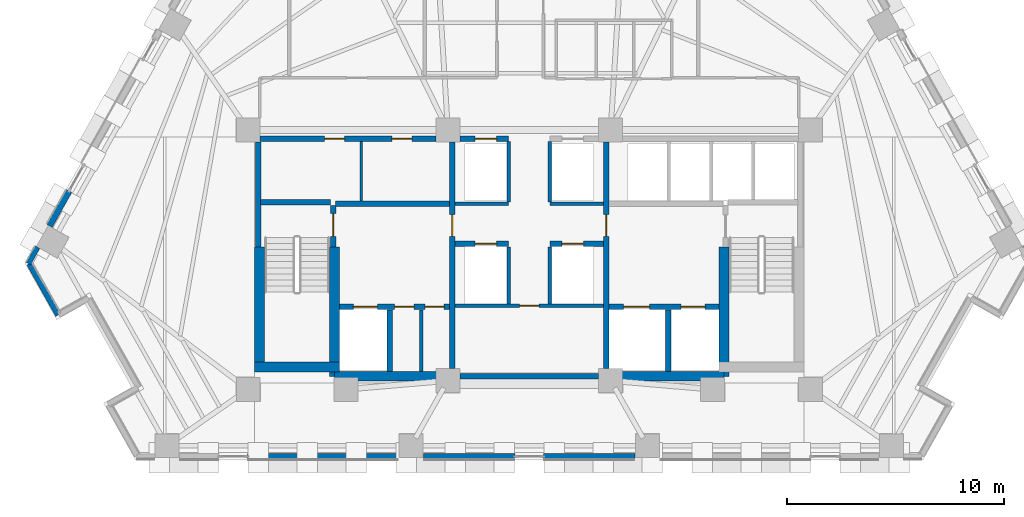
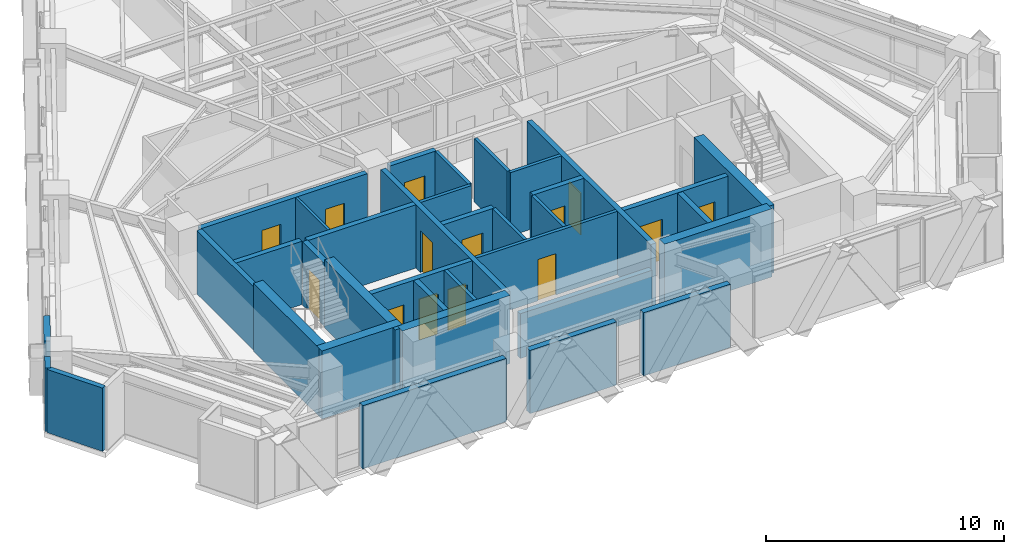
# One storey, part 7 of 13: 36 walls, 14 doors, 14 openings.
"""IFC4 building model written with IfcOpenShell, lengths in metres."""

from ifc_helpers import new_model, si_unit, direction, frame, frame_2d, origin, place, context, subcontext, project, spatial, rectangle, extrude, material, layer, layer_set, type_object, element, fill, save


model = new_model("IFC4")

# Units and contexts
model_context = context("Model", 3, precision=1e-05, world=origin(), true_north=direction((0.0, 1.0)))
body_context = subcontext(model_context, "Body", "Model", "MODEL_VIEW")
ifc_project = project(units=[si_unit("LENGTHUNIT", "METRE"), si_unit("AREAUNIT", "SQUARE_METRE"), si_unit("VOLUMEUNIT", "CUBIC_METRE"), si_unit("PLANEANGLEUNIT", "RADIAN"), si_unit("MASSUNIT", "GRAM", prefix="KILO")], contexts=[model_context])

# Site, building, storey
site_placement = place(None, origin())
site = spatial("IfcSite", under=ifc_project, at=site_placement, CompositionType="ELEMENT")
building_placement = place(site_placement, origin())
building = spatial("IfcBuilding", under=site, at=building_placement, Name="Quenlor Broadcast Tower", CompositionType="ELEMENT")
storey_placement = place(building_placement, frame((0.0, 0.0, 116.0)))
storey = spatial("IfcBuildingStorey", under=building, at=storey_placement, Name="L31", CompositionType="ELEMENT", Elevation=116.0)

# Walls
ifc_material_1 = material(Name="Concrete C50/60", Category="concrete")
ifc_layer_1 = layer(ifc_material_1, 0.449951171875)
ifc_layer_set_1 = layer_set([ifc_layer_1], Name="Core Concrete C50/60 Shear Wall 450")
wall_type_1 = type_object("IfcWallType", Name="Core Concrete C50/60 Shear Wall 450", PredefinedType="SHEAR", material=ifc_layer_set_1)
wall_1_placement = place(storey_placement, frame((-12.64990234375, -15.72509765625, 0.0), z_axis=(0.0, 0.0, 1.0), x_axis=(1.0, 0.0, 0.0)))
element("IfcWall", 1, at=wall_1_placement, inside=storey, type_object=wall_type_1, Name="L31 Core Shear Wall WS-W1", PredefinedType="SHEAR", context=body_context, shape_type="SweptSolid", body=[
    extrude(rectangle(XDim=3.89990234375, YDim=0.449951171875, at=frame_2d((1.949951171875, 0.0))), origin(), (0.0, 0.0, 1.0), 3.5),
])
for number, where, z_axis, x_axis, name in (
    (2, (-8.97509765625, -16.14990234375, 0.0), (0.0, 0.0, 1.0), (1.0, 0.0, 0.0), "L31 Core Shear Wall WS-W2"),
    (3, (3.75, -16.14990234375, 0.0), (0.0, 0.0, 1.0), (1.0, 0.0, 0.0), "L31 Core Shear Wall WS-E1"),
):
    element("IfcWall", number, at=place(storey_placement, frame(where, z_axis=z_axis, x_axis=x_axis)), inside=storey, type_object=wall_type_1, Name=name, PredefinedType="SHEAR", context=body_context, shape_type="SweptSolid", body=[
        extrude(rectangle(XDim=5.22509765625, YDim=0.449951171875, at=frame_2d((2.612548828125, 0.0))), origin(), (0.0, 0.0, 1.0), 3.5),
    ])
wall_2_placement = place(storey_placement, frame((-12.425048828125, -15.72509765625, 0.0), z_axis=(0.0, 0.0, 1.0), x_axis=(0.0, 1.0, 0.0)))
element("IfcWall", 4, at=wall_2_placement, inside=storey, type_object=wall_type_1, Name="L31 Core Shear Wall WF-W", PredefinedType="SHEAR", context=body_context, shape_type="SweptSolid", body=[
    extrude(rectangle(XDim=5.525146484375, YDim=0.449951171875, at=frame_2d((2.7626953125, 0.0))), origin(), (0.0, 0.0, 1.0), 3.5),
])
for number, where, z_axis, x_axis, name in (
    (5, (-8.97509765625, -16.14990234375, 0.0), (0.0, 0.0, 1.0), (0.0, 1.0, 0.0), "L31 Core Shear Wall WI-W"),
    (6, (8.97509765625, -16.14990234375, 0.0), (0.0, 0.0, 1.0), (0.0, 1.0, 0.0), "L31 Core Shear Wall WI-E"),
):
    element("IfcWall", number, at=place(storey_placement, frame(where, z_axis=z_axis, x_axis=x_axis)), inside=storey, type_object=wall_type_1, Name=name, PredefinedType="SHEAR", context=body_context, shape_type="SweptSolid", body=[
        extrude(rectangle(XDim=5.949951171875, YDim=0.449951171875, at=frame_2d((2.97509765625, 0.0))), origin(), (0.0, 0.0, 1.0), 3.5),
    ])

# Wall, opening, door
ifc_material_2 = material(Name="Concrete C40/50", Category="concrete")
ifc_layer_2 = layer(ifc_material_2, 0.25)
ifc_layer_set_2 = layer_set([ifc_layer_2], Name="Fire Rated Concrete C40/50 Core Wall 250")
wall_type_2 = type_object("IfcWallType", Name="Fire Rated Concrete C40/50 Core Wall 250", PredefinedType="PARTITIONING", material=ifc_layer_set_2)
wall_3_placement = place(storey_placement, frame((-9.0400390625, -10.179931640625, 0.0), z_axis=(0.0, 0.0, 1.0), x_axis=(0.0, 1.0, 0.0)))
wall_3 = element("IfcWall", 7, at=wall_3_placement, inside=storey, type_object=wall_type_2, Name="L31 Interior Wall CW-ST1-DR", PredefinedType="PARTITIONING", context=body_context, shape_type="SweptSolid", body=[
    extrude(rectangle(XDim=1.89990234375, YDim=0.25, at=frame_2d((0.949951171875, 0.0))), origin(), (0.0, 0.0, 1.0), 3.25),
])
opening_1_placement = place(wall_3_placement, frame((0.47998046875, 0.0, 0.0)))
opening_1 = element("IfcOpeningElement", 8, at=opening_1_placement, cuts=wall_3, Name="Opening FD-1", PredefinedType="OPENING", context=body_context, shape_type="SweptSolid", body=[
    extrude(rectangle(XDim=1.050048828125, YDim=2.14990234375, at=frame_2d((0.52490234375, 1.074951171875))), frame((0.0, 0.135009765625, 0.0), z_axis=(0.0, -1.0, 0.0), x_axis=(1.0, 0.0, 0.0)), (0.0, 0.0, 1.0), 0.27001953125),
])
ifc_material_3 = material(Name="Fire Rated Steel Door Leaf", Category="steel")
door_type_1 = type_object("IfcDoorType", Name="Fire Isolated Stair Door 1050x2150", OperationType="NOTDEFINED", PredefinedType="DOOR", material=ifc_material_3)
door_1_placement = place(opening_1_placement, origin())
door_1 = element("IfcDoor", 9, at=door_1_placement, inside=storey, type_object=door_type_1, Name="L31 Door DR-ST1", OperationType="SINGLE_SWING_LEFT", OverallHeight=2.14990234375, OverallWidth=1.050048828125, PredefinedType="DOOR", context=body_context, shape_type="SweptSolid", body=[
    extrude(rectangle(XDim=1.050048828125, YDim=2.14990234375, at=frame_2d((0.52490234375, 1.074951171875))), frame((0.0, 0.02490234375, 0.0), z_axis=(0.0, -1.0, 0.0), x_axis=(1.0, 0.0, 0.0)), (0.0, 0.0, 1.0), 0.050048828125),
])
fill(opening_1, door_1)

# Walls
wall_4_placement = place(storey_placement, frame((-12.3798828125, -8.1201171875, 0.0), z_axis=(0.0, 0.0, 1.0), x_axis=(1.0, 0.0, 0.0)))
element("IfcWall", 10, at=wall_4_placement, inside=storey, type_object=wall_type_2, Name="L31 Interior Wall CW-ST1-N", PredefinedType="PARTITIONING", context=body_context, shape_type="SweptSolid", body=[
    extrude(rectangle(XDim=3.219970703125, YDim=0.25, at=frame_2d((1.60986328125, 0.0))), origin(), (0.0, 0.0, 1.0), 3.25),
])
wall_5_placement = place(storey_placement, frame((-12.47998046875, -10.179931640625, 0.0), z_axis=(0.0, 0.0, 1.0), x_axis=(0.0, 1.0, 0.0)))
element("IfcWall", 11, at=wall_5_placement, inside=storey, type_object=wall_type_2, Name="L31 Interior Wall CW-ST1-W2", PredefinedType="PARTITIONING", context=body_context, shape_type="SweptSolid", body=[
    extrude(rectangle(XDim=4.827880859375, YDim=0.25, at=frame_2d((2.4140625, 0.0))), origin(), (0.0, 0.0, 1.0), 3.25),
])

# Wall, openings, doors
wall_6_placement = place(storey_placement, frame((-8.748046875, -12.949951171875, 0.0), z_axis=(0.0, 0.0, 1.0), x_axis=(1.0, 0.0, 0.0)))
wall_6 = element("IfcWall", 12, at=wall_6_placement, inside=storey, type_object=wall_type_2, Name="L31 Interior Wall CW-FFW-S", PredefinedType="PARTITIONING", context=body_context, shape_type="SweptSolid", body=[
    extrude(rectangle(XDim=5.068115234375, YDim=0.25, at=frame_2d((2.5341796875, 0.0))), origin(), (0.0, 0.0, 1.0), 3.25),
])
opening_2_placement = place(wall_6_placement, frame((0.64794921875, 0.0, 0.0)))
opening_2 = element("IfcOpeningElement", 13, at=opening_2_placement, cuts=wall_6, Name="Opening LD-FFL-1", PredefinedType="OPENING", context=body_context, shape_type="SweptSolid", body=[
    extrude(rectangle(XDim=1.10009765625, YDim=2.14990234375, at=frame_2d((0.550048828125, 1.074951171875))), frame((0.0, 0.135009765625, 0.0), z_axis=(0.0, -1.0, 0.0), x_axis=(1.0, 0.0, 0.0)), (0.0, 0.0, 1.0), 0.27001953125),
])
opening_3_placement = place(wall_6_placement, frame((2.548095703125, 0.0, 0.0)))
opening_3 = element("IfcOpeningElement", 14, at=opening_3_placement, cuts=wall_6, Name="Opening TD-1", PredefinedType="OPENING", context=body_context, shape_type="SweptSolid", body=[
    extrude(rectangle(XDim=0.8798828125, YDim=2.10009765625, at=frame_2d((0.43994140625, 1.050048828125))), frame((0.0, 0.135009765625, 0.0), z_axis=(0.0, -1.0, 0.0), x_axis=(1.0, 0.0, 0.0)), (0.0, 0.0, 1.0), 0.27001953125),
])
opening_4_placement = place(wall_6_placement, frame((3.947998046875, 0.0, 0.0)))
opening_4 = element("IfcOpeningElement", 15, at=opening_4_placement, cuts=wall_6, Name="Opening TD-1", PredefinedType="OPENING", context=body_context, shape_type="SweptSolid", body=[
    extrude(rectangle(XDim=0.8798828125, YDim=2.10009765625, at=frame_2d((0.43994140625, 1.050048828125))), frame((0.0, 0.135009765625, 0.0), z_axis=(0.0, -1.0, 0.0), x_axis=(1.0, 0.0, 0.0)), (0.0, 0.0, 1.0), 0.27001953125),
])
ifc_material_4 = material(Name="Brushed Stainless Steel", Category="steel")
door_type_2 = type_object("IfcDoorType", Name="Emergency Lift Sliding Landing Door 1100x2150", OperationType="NOTDEFINED", PredefinedType="DOOR", material=ifc_material_4)
door_2_placement = place(opening_2_placement, origin())
door_2 = element("IfcDoor", 16, at=door_2_placement, inside=storey, type_object=door_type_2, Name="L31 Door LD-FFL-1", OperationType="SLIDING_TO_LEFT", OverallHeight=2.14990234375, OverallWidth=1.10009765625, PredefinedType="DOOR", context=body_context, shape_type="SweptSolid", body=[
    extrude(rectangle(XDim=1.10009765625, YDim=2.14990234375, at=frame_2d((0.550048828125, 1.074951171875))), frame((0.0, 0.02490234375, 0.0), z_axis=(0.0, -1.0, 0.0), x_axis=(1.0, 0.0, 0.0)), (0.0, 0.0, 1.0), 0.050048828125),
])
fill(opening_2, door_2)
ifc_material_5 = material(Name="Fire Rated Steel Access Panel", Category="steel")
door_type_3 = type_object("IfcDoorType", Name="Riser Shaft Rated Access Trapdoor 880x2100", OperationType="NOTDEFINED", PredefinedType="TRAPDOOR", material=ifc_material_5)
door_3_placement = place(opening_3_placement, origin())
door_3 = element("IfcDoor", 17, at=door_3_placement, inside=storey, type_object=door_type_3, Name="L31 Door DR-ELR", OperationType="SINGLE_SWING_LEFT", OverallHeight=2.10009765625, OverallWidth=0.8798828125, PredefinedType="TRAPDOOR", context=body_context, shape_type="SweptSolid", body=[
    extrude(rectangle(XDim=0.8798828125, YDim=2.10009765625, at=frame_2d((0.43994140625, 1.050048828125))), frame((0.0, 0.02490234375, 0.0), z_axis=(0.0, -1.0, 0.0), x_axis=(1.0, 0.0, 0.0)), (0.0, 0.0, 1.0), 0.050048828125),
])
fill(opening_3, door_3)
door_4_placement = place(opening_4_placement, origin())
door_4 = element("IfcDoor", 18, at=door_4_placement, inside=storey, type_object=door_type_3, Name="L31 Door DR-CMR", OperationType="SINGLE_SWING_RIGHT", OverallHeight=2.10009765625, OverallWidth=0.8798828125, PredefinedType="TRAPDOOR", context=body_context, shape_type="SweptSolid", body=[
    extrude(rectangle(XDim=0.8798828125, YDim=2.10009765625, at=frame_2d((0.43994140625, 1.050048828125))), frame((0.0, 0.02490234375, 0.0), z_axis=(0.0, -1.0, 0.0), x_axis=(1.0, 0.0, 0.0)), (0.0, 0.0, 1.0), 0.050048828125),
])
fill(opening_4, door_4)

wall_7_placement = place(storey_placement, frame((3.679931640625, -12.949951171875, 0.0), z_axis=(0.0, 0.0, 1.0), x_axis=(1.0, 0.0, 0.0)))
wall_7 = element("IfcWall", 19, at=wall_7_placement, inside=storey, type_object=wall_type_2, Name="L31 Interior Wall CW-FFE-S", PredefinedType="PARTITIONING", context=body_context, shape_type="SweptSolid", body=[
    extrude(rectangle(XDim=5.068115234375, YDim=0.25, at=frame_2d((2.5341796875, 0.0))), origin(), (0.0, 0.0, 1.0), 3.25),
])
opening_5_placement = place(wall_7_placement, frame((3.320068359375, 0.0, 0.0)))
opening_5 = element("IfcOpeningElement", 20, at=opening_5_placement, cuts=wall_7, Name="Opening LD-FFL-2", PredefinedType="OPENING", context=body_context, shape_type="SweptSolid", body=[
    extrude(rectangle(XDim=1.10009765625, YDim=2.14990234375, at=frame_2d((0.550048828125, 1.074951171875))), frame((0.0, 0.135009765625, 0.0), z_axis=(0.0, -1.0, 0.0), x_axis=(1.0, 0.0, 0.0)), (0.0, 0.0, 1.0), 0.27001953125),
])
opening_6_placement = place(wall_7_placement, frame((0.669921875, 0.0, 0.0)))
opening_6 = element("IfcOpeningElement", 21, at=opening_6_placement, cuts=wall_7, Name="Opening LD-SVL-1", PredefinedType="OPENING", context=body_context, shape_type="SweptSolid", body=[
    extrude(rectangle(XDim=1.199951171875, YDim=2.14990234375, at=frame_2d((0.60009765625, 1.074951171875))), frame((0.0, 0.135009765625, 0.0), z_axis=(0.0, -1.0, 0.0), x_axis=(1.0, 0.0, 0.0)), (0.0, 0.0, 1.0), 0.27001953125),
])
door_5_placement = place(opening_5_placement, origin())
door_5 = element("IfcDoor", 22, at=door_5_placement, inside=storey, type_object=door_type_2, Name="L31 Door LD-FFL-2", OperationType="SLIDING_TO_RIGHT", OverallHeight=2.14990234375, OverallWidth=1.10009765625, PredefinedType="DOOR", context=body_context, shape_type="SweptSolid", body=[
    extrude(rectangle(XDim=1.10009765625, YDim=2.14990234375, at=frame_2d((0.550048828125, 1.074951171875))), frame((0.0, 0.02490234375, 0.0), z_axis=(0.0, -1.0, 0.0), x_axis=(1.0, 0.0, 0.0)), (0.0, 0.0, 1.0), 0.050048828125),
])
fill(opening_5, door_5)
ifc_material_6 = material(Name="Brushed Stainless Steel", Category="steel")
door_type_4 = type_object("IfcDoorType", Name="Goods Lift Sliding Landing Door 1200x2150", OperationType="NOTDEFINED", PredefinedType="DOOR", material=ifc_material_6)
door_6_placement = place(opening_6_placement, origin())
door_6 = element("IfcDoor", 23, at=door_6_placement, inside=storey, type_object=door_type_4, Name="L31 Door LD-SVL-1", OperationType="SLIDING_TO_LEFT", OverallHeight=2.14990234375, OverallWidth=1.199951171875, PredefinedType="DOOR", context=body_context, shape_type="SweptSolid", body=[
    extrude(rectangle(XDim=1.199951171875, YDim=2.14990234375, at=frame_2d((0.60009765625, 1.074951171875))), frame((0.0, 0.02490234375, 0.0), z_axis=(0.0, -1.0, 0.0), x_axis=(1.0, 0.0, 0.0)), (0.0, 0.0, 1.0), 0.050048828125),
])
fill(opening_6, door_6)

# Walls
for number, where, z_axis, x_axis, name in (
    (24, (-6.419921875, -15.919921875, 0.0), (0.0, 0.0, 1.0), (0.0, 1.0, 0.0), "L31 Interior Wall CW-FF1-E"),
    (25, (6.39990234375, -15.919921875, 0.0), (0.0, 0.0, 1.0), (0.0, 1.0, 0.0), "L31 Interior Wall CW-SV1-E"),
):
    element("IfcWall", number, at=place(storey_placement, frame(where, z_axis=z_axis, x_axis=x_axis)), inside=storey, type_object=wall_type_2, Name=name, PredefinedType="PARTITIONING", context=body_context, shape_type="SweptSolid", body=[
        extrude(rectangle(XDim=2.829833984375, YDim=0.25, at=frame_2d((1.4150390625, 0.0))), origin(), (0.0, 0.0, 1.0), 3.25),
    ])
wall_8_placement = place(storey_placement, frame((-8.919921875, -8.199951171875, 0.0), z_axis=(0.0, 0.0, 1.0), x_axis=(1.0, 0.0, 0.0)))
element("IfcWall", 26, at=wall_8_placement, inside=storey, type_object=wall_type_2, Name="L31 Interior Wall CW-FFW-N", PredefinedType="PARTITIONING", context=body_context, shape_type="SweptSolid", body=[
    extrude(rectangle(XDim=5.239990234375, YDim=0.25, at=frame_2d((2.6201171875, 0.0))), origin(), (0.0, 0.0, 1.0), 3.25),
])

# Wall, opening, door
wall_9_placement = place(storey_placement, frame((-3.550048828125, -15.798095703125, 0.0), z_axis=(0.0, 0.0, 1.0), x_axis=(0.0, 1.0, 0.0)))
wall_9 = element("IfcWall", 27, at=wall_9_placement, inside=storey, type_object=wall_type_2, Name="L31 Interior Wall CW-FFW-E", PredefinedType="PARTITIONING", context=body_context, shape_type="SweptSolid", body=[
    extrude(rectangle(XDim=10.446044921875, YDim=0.25, at=frame_2d((5.22314453125, 0.0))), origin(), (0.0, 0.0, 1.0), 3.25),
])
opening_7_placement = place(wall_9_placement, frame((6.097900390625, 0.0, 0.0)))
opening_7 = element("IfcOpeningElement", 28, at=opening_7_placement, cuts=wall_9, Name="Opening FD-2", PredefinedType="OPENING", context=body_context, shape_type="SweptSolid", body=[
    extrude(rectangle(XDim=1.0, YDim=2.14990234375, at=frame_2d((0.5, 1.074951171875))), frame((0.0, 0.135009765625, 0.0), z_axis=(0.0, -1.0, 0.0), x_axis=(1.0, 0.0, 0.0)), (0.0, 0.0, 1.0), 0.27001953125),
])
ifc_material_7 = material(Name="Fire Rated Glazed Steel Door", Category="steel")
door_type_5 = type_object("IfcDoorType", Name="Firefighting Lobby Smoke Door 1000x2150", OperationType="NOTDEFINED", PredefinedType="DOOR", material=ifc_material_7)
door_7_placement = place(opening_7_placement, origin())
door_7 = element("IfcDoor", 29, at=door_7_placement, inside=storey, type_object=door_type_5, Name="L31 Door DR-FFLW", OperationType="SINGLE_SWING_RIGHT", OverallHeight=2.14990234375, OverallWidth=1.0, PredefinedType="DOOR", context=body_context, shape_type="SweptSolid", body=[
    extrude(rectangle(XDim=1.0, YDim=2.14990234375, at=frame_2d((0.5, 1.074951171875))), frame((0.0, 0.02490234375, 0.0), z_axis=(0.0, -1.0, 0.0), x_axis=(1.0, 0.0, 0.0)), (0.0, 0.0, 1.0), 0.050048828125),
])
fill(opening_7, door_7)

wall_10_placement = place(storey_placement, frame((3.550048828125, -15.798095703125, 0.0), z_axis=(0.0, 0.0, 1.0), x_axis=(0.0, 1.0, 0.0)))
wall_10 = element("IfcWall", 30, at=wall_10_placement, inside=storey, type_object=wall_type_2, Name="L31 Interior Wall CW-FFE-W", PredefinedType="PARTITIONING", context=body_context, shape_type="SweptSolid", body=[
    extrude(rectangle(XDim=10.446044921875, YDim=0.25, at=frame_2d((5.22314453125, 0.0))), origin(), (0.0, 0.0, 1.0), 3.25),
])
opening_8_placement = place(wall_10_placement, frame((6.097900390625, 0.0, 0.0)))
opening_8 = element("IfcOpeningElement", 31, at=opening_8_placement, cuts=wall_10, Name="Opening FD-2", PredefinedType="OPENING", context=body_context, shape_type="SweptSolid", body=[
    extrude(rectangle(XDim=1.0, YDim=2.14990234375, at=frame_2d((0.5, 1.074951171875))), frame((0.0, 0.135009765625, 0.0), z_axis=(0.0, -1.0, 0.0), x_axis=(1.0, 0.0, 0.0)), (0.0, 0.0, 1.0), 0.27001953125),
])
door_8_placement = place(opening_8_placement, origin())
door_8 = element("IfcDoor", 32, at=door_8_placement, inside=storey, type_object=door_type_5, Name="L31 Door DR-FFLE", OperationType="SINGLE_SWING_LEFT", OverallHeight=2.14990234375, OverallWidth=1.0, PredefinedType="DOOR", context=body_context, shape_type="SweptSolid", body=[
    extrude(rectangle(XDim=1.0, YDim=2.14990234375, at=frame_2d((0.5, 1.074951171875))), frame((0.0, 0.02490234375, 0.0), z_axis=(0.0, -1.0, 0.0), x_axis=(1.0, 0.0, 0.0)), (0.0, 0.0, 1.0), 0.050048828125),
])
fill(opening_8, door_8)

# Wall, openings, doors
wall_11_placement = place(storey_placement, frame((-12.39794921875, -5.199951171875, 0.0), z_axis=(0.0, 0.0, 1.0), x_axis=(1.0, 0.0, 0.0)))
wall_11 = element("IfcWall", 33, at=wall_11_placement, inside=storey, type_object=wall_type_2, Name="L31 Interior Wall CW-N-W", PredefinedType="PARTITIONING", context=body_context, shape_type="SweptSolid", body=[
    extrude(rectangle(XDim=8.095947265625, YDim=0.25, at=frame_2d((4.0478515625, 0.0))), origin(), (0.0, 0.0, 1.0), 3.25),
])
opening_9_placement = place(wall_11_placement, frame((2.968017578125, 0.0, 0.0)))
opening_9 = element("IfcOpeningElement", 34, at=opening_9_placement, cuts=wall_11, Name="Opening ID-1", PredefinedType="OPENING", context=body_context, shape_type="SweptSolid", body=[
    extrude(rectangle(XDim=0.919921875, YDim=2.1201171875, at=frame_2d((0.4599609375, 1.06005859375))), frame((0.0, 0.135009765625, 0.0), z_axis=(0.0, -1.0, 0.0), x_axis=(1.0, 0.0, 0.0)), (0.0, 0.0, 1.0), 0.27001953125),
])
opening_10_placement = place(wall_11_placement, frame((6.068115234375, 0.0, 0.0)))
opening_10 = element("IfcOpeningElement", 35, at=opening_10_placement, cuts=wall_11, Name="Opening ID-1", PredefinedType="OPENING", context=body_context, shape_type="SweptSolid", body=[
    extrude(rectangle(XDim=0.919921875, YDim=2.1201171875, at=frame_2d((0.4599609375, 1.06005859375))), frame((0.0, 0.135009765625, 0.0), z_axis=(0.0, -1.0, 0.0), x_axis=(1.0, 0.0, 0.0)), (0.0, 0.0, 1.0), 0.27001953125),
])
ifc_material_8 = material(Name="Solid Core Timber Oak", Category="wood")
door_type_6 = type_object("IfcDoorType", Name="Single Leaf Timber Office Door 920x2120", OperationType="NOTDEFINED", PredefinedType="DOOR", material=ifc_material_8)
door_9_placement = place(opening_9_placement, origin())
door_9 = element("IfcDoor", 36, at=door_9_placement, inside=storey, type_object=door_type_6, Name="L31 Door DR-RCL1", OperationType="SINGLE_SWING_LEFT", OverallHeight=2.1201171875, OverallWidth=0.919921875, PredefinedType="DOOR", context=body_context, shape_type="SweptSolid", body=[
    extrude(rectangle(XDim=0.919921875, YDim=2.1201171875, at=frame_2d((0.4599609375, 1.06005859375))), frame((0.0, 0.02490234375, 0.0), z_axis=(0.0, -1.0, 0.0), x_axis=(1.0, 0.0, 0.0)), (0.0, 0.0, 1.0), 0.050048828125),
])
fill(opening_9, door_9)
door_10_placement = place(opening_10_placement, origin())
door_10 = element("IfcDoor", 37, at=door_10_placement, inside=storey, type_object=door_type_6, Name="L31 Door DR-RCL2", OperationType="SINGLE_SWING_RIGHT", OverallHeight=2.1201171875, OverallWidth=0.919921875, PredefinedType="DOOR", context=body_context, shape_type="SweptSolid", body=[
    extrude(rectangle(XDim=0.919921875, YDim=2.1201171875, at=frame_2d((0.4599609375, 1.06005859375))), frame((0.0, 0.02490234375, 0.0), z_axis=(0.0, -1.0, 0.0), x_axis=(1.0, 0.0, 0.0)), (0.0, 0.0, 1.0), 0.050048828125),
])
fill(opening_10, door_10)

# Wall, opening, door
wall_12_placement = place(storey_placement, frame((-3.197998046875, -5.199951171875, 0.0), z_axis=(0.0, 0.0, 1.0), x_axis=(1.0, 0.0, 0.0)))
wall_12 = element("IfcWall", 38, at=wall_12_placement, inside=storey, type_object=wall_type_2, Name="L31 Interior Wall CW-N-M1", PredefinedType="PARTITIONING", context=body_context, shape_type="SweptSolid", body=[
    extrude(rectangle(XDim=2.248046875, YDim=0.25, at=frame_2d((1.1240234375, 0.0))), origin(), (0.0, 0.0, 1.0), 3.25),
])
opening_11_placement = place(wall_12_placement, frame((0.697998046875, 0.0, 0.0)))
opening_11 = element("IfcOpeningElement", 39, at=opening_11_placement, cuts=wall_12, Name="Opening LD-PL-M1", PredefinedType="OPENING", context=body_context, shape_type="SweptSolid", body=[
    extrude(rectangle(XDim=1.0, YDim=2.14990234375, at=frame_2d((0.5, 1.074951171875))), frame((0.0, 0.135009765625, 0.0), z_axis=(0.0, -1.0, 0.0), x_axis=(1.0, 0.0, 0.0)), (0.0, 0.0, 1.0), 0.27001953125),
])
ifc_material_9 = material(Name="Brushed Stainless Steel", Category="steel")
door_type_7 = type_object("IfcDoorType", Name="Passenger Lift Sliding Landing Door 1000x2150", OperationType="NOTDEFINED", PredefinedType="DOOR", material=ifc_material_9)
door_11_placement = place(opening_11_placement, origin())
door_11 = element("IfcDoor", 40, at=door_11_placement, inside=storey, type_object=door_type_7, Name="L31 Door LD-PL-M1", OperationType="SLIDING_TO_LEFT", OverallHeight=2.14990234375, OverallWidth=1.0, PredefinedType="DOOR", context=body_context, shape_type="SweptSolid", body=[
    extrude(rectangle(XDim=1.0, YDim=2.14990234375, at=frame_2d((0.5, 1.074951171875))), frame((0.0, 0.02490234375, 0.0), z_axis=(0.0, -1.0, 0.0), x_axis=(1.0, 0.0, 0.0)), (0.0, 0.0, 1.0), 0.050048828125),
])
fill(opening_11, door_11)

# Wall
wall_13_placement = place(storey_placement, frame((-3.197998046875, -16.14990234375, 0.0), z_axis=(0.0, 0.0, 1.0), x_axis=(1.0, 0.0, 0.0)))
element("IfcWall", 41, at=wall_13_placement, inside=storey, type_object=wall_type_2, Name="L31 Interior Wall CW-MS-S", PredefinedType="PARTITIONING", context=body_context, shape_type="SweptSolid", body=[
    extrude(rectangle(XDim=6.39599609375, YDim=0.25, at=frame_2d((3.197998046875, 0.0))), origin(), (0.0, 0.0, 1.0), 2.300048828125),
])

# Wall, opening, door
wall_14_placement = place(storey_placement, frame((-3.419921875, -10.050048828125, 0.0), z_axis=(0.0, 0.0, 1.0), x_axis=(1.0, 0.0, 0.0)))
wall_14 = element("IfcWall", 42, at=wall_14_placement, inside=storey, type_object=wall_type_2, Name="L31 Interior Wall CW-MS-N1", PredefinedType="PARTITIONING", context=body_context, shape_type="SweptSolid", body=[
    extrude(rectangle(XDim=2.469970703125, YDim=0.25, at=frame_2d((1.23486328125, 0.0))), origin(), (0.0, 0.0, 1.0), 3.25),
])
opening_12_placement = place(wall_14_placement, frame((0.919921875, 0.0, 0.0)))
opening_12 = element("IfcOpeningElement", 43, at=opening_12_placement, cuts=wall_14, Name="Opening LD-PL-M3", PredefinedType="OPENING", context=body_context, shape_type="SweptSolid", body=[
    extrude(rectangle(XDim=1.0, YDim=2.14990234375, at=frame_2d((0.5, 1.074951171875))), frame((0.0, 0.135009765625, 0.0), z_axis=(0.0, -1.0, 0.0), x_axis=(1.0, 0.0, 0.0)), (0.0, 0.0, 1.0), 0.27001953125),
])
door_12_placement = place(opening_12_placement, origin())
door_12 = element("IfcDoor", 44, at=door_12_placement, inside=storey, type_object=door_type_7, Name="L31 Door LD-PL-M3", OperationType="SLIDING_TO_LEFT", OverallHeight=2.14990234375, OverallWidth=1.0, PredefinedType="DOOR", context=body_context, shape_type="SweptSolid", body=[
    extrude(rectangle(XDim=1.0, YDim=2.14990234375, at=frame_2d((0.5, 1.074951171875))), frame((0.0, 0.02490234375, 0.0), z_axis=(0.0, -1.0, 0.0), x_axis=(1.0, 0.0, 0.0)), (0.0, 0.0, 1.0), 0.050048828125),
])
fill(opening_12, door_12)

wall_15_placement = place(storey_placement, frame((0.949951171875, -10.050048828125, 0.0), z_axis=(0.0, 0.0, 1.0), x_axis=(1.0, 0.0, 0.0)))
wall_15 = element("IfcWall", 45, at=wall_15_placement, inside=storey, type_object=wall_type_2, Name="L31 Interior Wall CW-MS-N2", PredefinedType="PARTITIONING", context=body_context, shape_type="SweptSolid", body=[
    extrude(rectangle(XDim=2.469970703125, YDim=0.25, at=frame_2d((1.23486328125, 0.0))), origin(), (0.0, 0.0, 1.0), 3.25),
])
opening_13_placement = place(wall_15_placement, frame((0.550048828125, 0.0, 0.0)))
opening_13 = element("IfcOpeningElement", 46, at=opening_13_placement, cuts=wall_15, Name="Opening LD-PL-M4", PredefinedType="OPENING", context=body_context, shape_type="SweptSolid", body=[
    extrude(rectangle(XDim=1.0, YDim=2.14990234375, at=frame_2d((0.5, 1.074951171875))), frame((0.0, 0.135009765625, 0.0), z_axis=(0.0, -1.0, 0.0), x_axis=(1.0, 0.0, 0.0)), (0.0, 0.0, 1.0), 0.27001953125),
])
door_13_placement = place(opening_13_placement, origin())
door_13 = element("IfcDoor", 47, at=door_13_placement, inside=storey, type_object=door_type_7, Name="L31 Door LD-PL-M4", OperationType="SLIDING_TO_RIGHT", OverallHeight=2.14990234375, OverallWidth=1.0, PredefinedType="DOOR", context=body_context, shape_type="SweptSolid", body=[
    extrude(rectangle(XDim=1.0, YDim=2.14990234375, at=frame_2d((0.5, 1.074951171875))), frame((0.0, 0.02490234375, 0.0), z_axis=(0.0, -1.0, 0.0), x_axis=(1.0, 0.0, 0.0)), (0.0, 0.0, 1.0), 0.050048828125),
])
fill(opening_13, door_13)

# Walls
ifc_material_10 = material(Name="Gypsum Fireboard Partition", Category="other")
ifc_layer_3 = layer(ifc_material_10, 0.159912109375)
ifc_layer_set_3 = layer_set([ifc_layer_3], Name="Fire Rated Shaft and Corridor Partition 160")
wall_type_3 = type_object("IfcWallType", Name="Fire Rated Shaft and Corridor Partition 160", PredefinedType="PARTITIONING", material=ifc_layer_set_3)
wall_16_placement = place(storey_placement, frame((-4.97998046875, -15.919921875, 0.0), z_axis=(0.0, 0.0, 1.0), x_axis=(0.0, 1.0, 0.0)))
element("IfcWall", 48, at=wall_16_placement, inside=storey, type_object=wall_type_3, Name="L31 Interior Wall CW-ELR-E", PredefinedType="PARTITIONING", context=body_context, shape_type="SweptSolid", body=[
    extrude(rectangle(XDim=2.829833984375, YDim=0.159912109375, at=frame_2d((1.4150390625, 0.0))), origin(), (0.0, 0.0, 1.0), 3.25),
])
for number, where, z_axis, x_axis, name in (
    (49, (-0.949951171875, -8.1201171875, 0.0), (0.0, 0.0, 1.0), (0.0, 1.0, 0.0), "L31 Interior Wall CW-CCRP-W"),
    (50, (0.949951171875, -8.1201171875, 0.0), (0.0, 0.0, 1.0), (0.0, 1.0, 0.0), "L31 Interior Wall CW-CCRP-E"),
):
    element("IfcWall", number, at=place(storey_placement, frame(where, z_axis=z_axis, x_axis=x_axis)), inside=storey, type_object=wall_type_3, Name=name, PredefinedType="PARTITIONING", context=body_context, shape_type="SweptSolid", body=[
        extrude(rectangle(XDim=2.780029296875, YDim=0.159912109375, at=frame_2d((1.39013671875, 0.0))), origin(), (0.0, 0.0, 1.0), 3.25),
    ])
for number, where, z_axis, x_axis, name in (
    (51, (-3.419921875, -8.199951171875, 0.0), (0.0, 0.0, 1.0), (1.0, 0.0, 0.0), "L31 Interior Wall CW-M-BACK1"),
    (52, (0.949951171875, -8.199951171875, 0.0), (0.0, 0.0, 1.0), (1.0, 0.0, 0.0), "L31 Interior Wall CW-M-BACK2"),
):
    element("IfcWall", number, at=place(storey_placement, frame(where, z_axis=z_axis, x_axis=x_axis)), inside=storey, type_object=wall_type_3, Name=name, PredefinedType="PARTITIONING", context=body_context, shape_type="SweptSolid", body=[
        extrude(rectangle(XDim=2.469970703125, YDim=0.159912109375, at=frame_2d((1.23486328125, 0.0))), origin(), (0.0, 0.0, 1.0), 3.25),
    ])

# Wall, opening, door
wall_17_placement = place(storey_placement, frame((-3.419921875, -12.89990234375, 0.0), z_axis=(0.0, 0.0, 1.0), x_axis=(1.0, 0.0, 0.0)))
wall_17 = element("IfcWall", 53, at=wall_17_placement, inside=storey, type_object=wall_type_3, Name="L31 Interior Wall CW-MS-B", PredefinedType="PARTITIONING", context=body_context, shape_type="SweptSolid", body=[
    extrude(rectangle(XDim=6.83984375, YDim=0.159912109375, at=frame_2d((3.419921875, 0.0))), origin(), (0.0, 0.0, 1.0), 3.25),
])
opening_14_placement = place(wall_17_placement, frame((2.97998046875, 0.0, 0.0)))
opening_14 = element("IfcOpeningElement", 54, at=opening_14_placement, cuts=wall_17, Name="Opening ID-4", PredefinedType="OPENING", context=body_context, shape_type="SweptSolid", body=[
    extrude(rectangle(XDim=0.8798828125, YDim=2.1201171875, at=frame_2d((0.43994140625, 1.06005859375))), frame((0.0, 0.08984375, 0.0), z_axis=(0.0, -1.0, 0.0), x_axis=(1.0, 0.0, 0.0)), (0.0, 0.0, 1.0), 0.179931640625),
])
ifc_material_11 = material(Name="Solid Core Timber Oak", Category="wood")
door_type_8 = type_object("IfcDoorType", Name="Service Closet Timber Door 880x2120", OperationType="NOTDEFINED", PredefinedType="DOOR", material=ifc_material_11)
door_14_placement = place(opening_14_placement, origin())
door_14 = element("IfcDoor", 55, at=door_14_placement, inside=storey, type_object=door_type_8, Name="L31 Door DR-CSV0", OperationType="SINGLE_SWING_LEFT", OverallHeight=2.1201171875, OverallWidth=0.8798828125, PredefinedType="DOOR", context=body_context, shape_type="SweptSolid", body=[
    extrude(rectangle(XDim=0.8798828125, YDim=2.1201171875, at=frame_2d((0.43994140625, 1.06005859375))), frame((0.0, 0.02490234375, 0.0), z_axis=(0.0, -1.0, 0.0), x_axis=(1.0, 0.0, 0.0)), (0.0, 0.0, 1.0), 0.050048828125),
])
fill(opening_14, door_14)

# Walls
for number, where, z_axis, x_axis, name in (
    (56, (-0.949951171875, -12.818115234375, 0.0), (0.0, 0.0, 1.0), (0.0, 1.0, 0.0), "L31 Interior Wall CW-MS-W"),
    (57, (0.949951171875, -12.818115234375, 0.0), (0.0, 0.0, 1.0), (0.0, 1.0, 0.0), "L31 Interior Wall CW-MS-E"),
):
    element("IfcWall", number, at=place(storey_placement, frame(where, z_axis=z_axis, x_axis=x_axis)), inside=storey, type_object=wall_type_3, Name=name, PredefinedType="PARTITIONING", context=body_context, shape_type="SweptSolid", body=[
        extrude(rectangle(XDim=2.63818359375, YDim=0.159912109375, at=frame_2d((1.319091796875, 0.0))), origin(), (0.0, 0.0, 1.0), 3.25),
    ])
ifc_material_12 = material(Name="Gypsum Plasterboard Partition", Category="other")
ifc_layer_4 = layer(ifc_material_12, 0.1201171875)
ifc_layer_set_4 = layer_set([ifc_layer_4], Name="Standard Office Partition 120")
wall_type_4 = type_object("IfcWallType", Name="Standard Office Partition 120", PredefinedType="PARTITIONING", material=ifc_layer_set_4)
wall_18_placement = place(storey_placement, frame((-7.75, -8.072998046875, 0.0), z_axis=(0.0, 0.0, 1.0), x_axis=(0.0, 1.0, 0.0)))
element("IfcWall", 58, at=wall_18_placement, inside=storey, type_object=wall_type_4, Name="L31 Interior Wall CW-RCL-MID", PredefinedType="PARTITIONING", context=body_context, shape_type="SweptSolid", body=[
    extrude(rectangle(XDim=2.73291015625, YDim=0.1201171875, at=frame_2d((1.366455078125, 0.0))), origin(), (0.0, 0.0, 1.0), 3.25),
])
ifc_material_13 = material(Name="Precast concrete C40/50", Category="concrete")
ifc_layer_5 = layer(ifc_material_13, 0.239990234375)
ifc_layer_set_5 = layer_set([ifc_layer_5], Name="Terrace Threshold Precast Concrete C40/50 Wall 240")
wall_type_5 = type_object("IfcWallType", Name="Terrace Threshold Precast Concrete C40/50 Wall 240", PredefinedType="STANDARD", material=ifc_layer_set_5)
wall_19_placement = place(storey_placement, frame((-23.078125, -10.9541015625, 0.0), z_axis=(0.0, 0.0, 1.0), x_axis=(0.490355003566, 0.871522788272, 0.0)))
element("IfcWall", 59, at=wall_19_placement, inside=storey, type_object=wall_type_5, Name="L31 Exterior Wall L31-SHD-NWS0", PredefinedType="STANDARD", context=body_context, shape_type="SweptSolid", body=[
    extrude(rectangle(XDim=0.865234375, YDim=0.239990234375, at=frame_2d((0.4326171875, 0.0))), origin(), (0.0, 0.0, 1.0), 3.25),
])
wall_20_placement = place(storey_placement, frame((-23.043701171875, -10.962890625, 0.0), z_axis=(0.0, 0.0, 1.0), x_axis=(0.490218533594, -0.871599557894, 0.0)))
element("IfcWall", 60, at=wall_20_placement, inside=storey, type_object=wall_type_5, Name="L31 Exterior Wall L31-CNR-12", PredefinedType="STANDARD", context=body_context, shape_type="SweptSolid", body=[
    extrude(rectangle(XDim=2.714111328125, YDim=0.239990234375, at=frame_2d((1.35693359375, 0.0))), origin(), (0.0, 0.0, 1.0), 3.25),
])
ifc_material_14 = material(Name="Precast concrete C40/50", Category="concrete")
ifc_layer_6 = layer(ifc_material_14, 0.280029296875)
ifc_layer_set_6 = layer_set([ifc_layer_6], Name="Terracotta Precast Concrete C40/50 Facade Wall 280")
wall_type_6 = type_object("IfcWallType", Name="Terracotta Precast Concrete C40/50 Facade Wall 280", PredefinedType="STANDARD", material=ifc_layer_set_6)
wall_21_placement = place(storey_placement, frame((-6.018310546875, -19.840087890625, 0.0), z_axis=(0.0, 0.0, 1.0), x_axis=(-1.0, 0.0, 0.0)))
element("IfcWall", 61, at=wall_21_placement, inside=storey, type_object=wall_type_6, Name="L31 Exterior Wall L31-SC-SP1", PredefinedType="STANDARD", context=body_context, shape_type="SweptSolid", body=[
    extrude(rectangle(XDim=6.96044921875, YDim=0.280029296875, at=frame_2d((3.480224609375, 0.0))), origin(), (0.0, 0.0, 1.0), 3.25),
])
for number, where, z_axis, x_axis, name in (
    (62, (4.873291015625, -19.840087890625, 0.0), (0.0, 0.0, 1.0), (-1.0, 0.0, 0.0), "L31 Exterior Wall L31-S-SP1"),
    (63, (-0.656494140625, -19.840087890625, 0.0), (0.0, 0.0, 1.0), (-1.0, 0.0, 0.0), "L31 Exterior Wall L31-S-SP2"),
):
    element("IfcWall", number, at=place(storey_placement, frame(where, z_axis=z_axis, x_axis=x_axis)), inside=storey, type_object=wall_type_6, Name=name, PredefinedType="STANDARD", context=body_context, shape_type="SweptSolid", body=[
        extrude(rectangle(XDim=4.216796875, YDim=0.280029296875, at=frame_2d((2.1083984375, 0.0))), origin(), (0.0, 0.0, 1.0), 3.25),
    ])
wall_22_placement = place(storey_placement, frame((-22.099853515625, -9.215087890625, 0.0), z_axis=(0.0, 0.0, 1.0), x_axis=(0.490280102884, 0.871564926277, 0.0)))
element("IfcWall", 64, at=wall_22_placement, inside=storey, type_object=wall_type_6, Name="L31 Exterior Wall L31-NWA-SP1", PredefinedType="STANDARD", context=body_context, shape_type="SweptSolid", body=[
    extrude(rectangle(XDim=1.843505859375, YDim=0.280029296875, at=frame_2d((0.921875, 0.0))), origin(), (0.0, 0.0, 1.0), 3.25),
])

save(model, "model.ifc")
